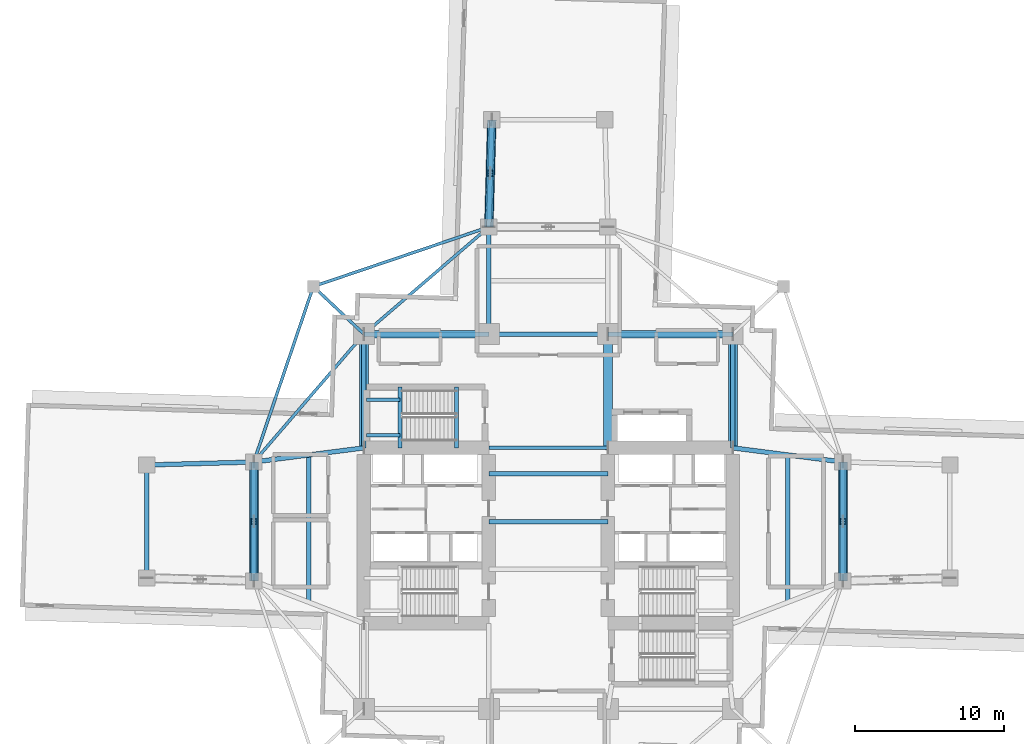
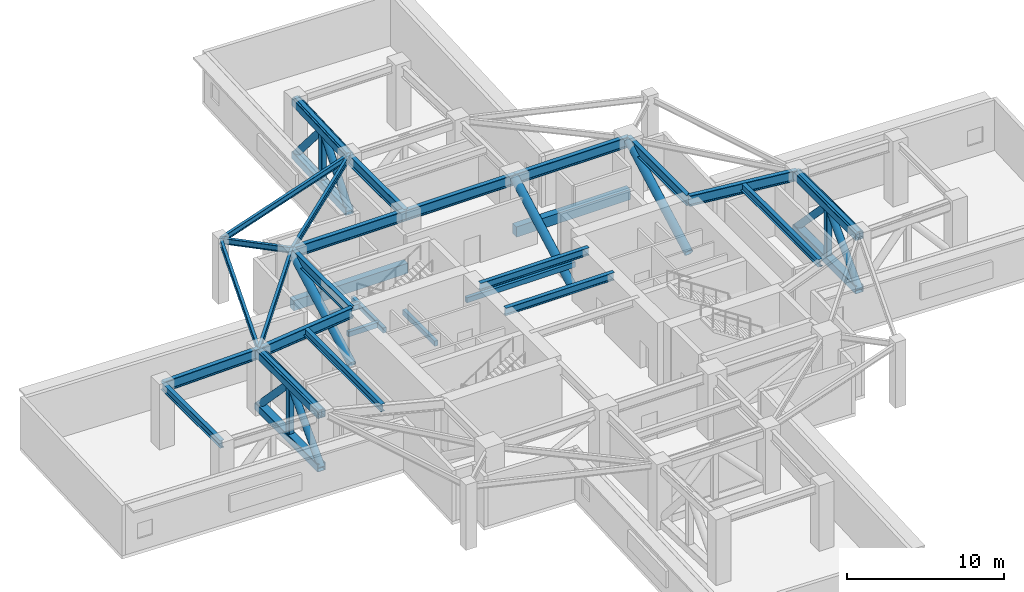
# One storey, part 3 of 17: 29 beams, 18 members.
"""IFC4 building model written with IfcOpenShell, lengths in metres."""

from ifc_helpers import new_model, si_unit, direction, frame, origin, origin_2d, place, context, subcontext, project, spatial, rectangle, hollow_rectangle, hollow_circle, i_section, extrude, material, material_profile, profile_set, type_object, element, save


model = new_model("IFC4")

# Units and contexts
model_context = context("Model", 3, precision=1e-05, world=origin(), true_north=direction((0.0, 1.0)))
body_context = subcontext(model_context, "Body", "Model", "MODEL_VIEW")
ifc_project = project(units=[si_unit("LENGTHUNIT", "METRE"), si_unit("AREAUNIT", "SQUARE_METRE"), si_unit("VOLUMEUNIT", "CUBIC_METRE"), si_unit("PLANEANGLEUNIT", "RADIAN"), si_unit("MASSUNIT", "GRAM", prefix="KILO")], contexts=[model_context])

# Site, building, storey
site_placement = place(None, origin())
site = spatial("IfcSite", under=ifc_project, at=site_placement, CompositionType="ELEMENT")
building_placement = place(site_placement, origin())
building = spatial("IfcBuilding", under=site, at=building_placement, Name="Qingluan Cross Belvedere", CompositionType="ELEMENT")
storey_placement = place(building_placement, frame((0.0, 0.0, 95.10009765625)))
storey = spatial("IfcBuildingStorey", under=building, at=storey_placement, Name="L24", CompositionType="ELEMENT", Elevation=95.10009765625)

# Beams
ifc_material_1 = material(Name="Concrete C45", Category="concrete")
ifc_material_profile_1 = material_profile(ifc_material_1, rectangle(XDim=0.25, YDim=0.39990234375, at=origin_2d()), Name="RC250x400")
ifc_profile_set_1 = profile_set([ifc_material_profile_1], Name="Concrete C45")
beam_type_1 = type_object("IfcBeamType", Name="RC_Lintel_RC250x400", PredefinedType="LINTEL", material=ifc_profile_set_1)
for number, where, z_axis, x_axis, name in (
    (1, (-6.179931640625, 4.949951171875, -0.2001953125), (0.0, 1.0, 0.0), (-1.0, 0.0, 0.0), "Stair ST3 landing beam L24"),
    (2, (-9.969970703125, 4.949951171875, 2.14990234375), (0.0, 1.0, 0.0), (-1.0, 0.0, 0.0), "Stair ST3 beam A L24"),
):
    element("IfcBeam", number, at=place(storey_placement, frame(where, z_axis=z_axis, x_axis=x_axis)), inside=storey, type_object=beam_type_1, Name=name, PredefinedType="LINTEL", context=body_context, shape_type="SweptSolid", body=[
        extrude(rectangle(XDim=0.25, YDim=0.39990234375, at=origin_2d()), origin(), (0.0, 0.0, 1.0), 4.090087890625),
    ])
for number, where, z_axis, x_axis, name in (
    (3, (-12.219970703125, 5.800048828125, 2.14990234375), (1.0, 0.0, 0.0), (0.0, 1.0, 0.0), "Stair ST3 beam B L24"),
    (4, (-12.219970703125, 8.18994140625, 2.14990234375), (1.0, 0.0, 0.0), (0.0, 1.0, 0.0), "Stair ST3 beam C L24"),
):
    element("IfcBeam", number, at=place(storey_placement, frame(where, z_axis=z_axis, x_axis=x_axis)), inside=storey, type_object=beam_type_1, Name=name, PredefinedType="LINTEL", context=body_context, shape_type="SweptSolid", body=[
        extrude(rectangle(XDim=0.25, YDim=0.39990234375, at=origin_2d()), origin(), (0.0, 0.0, 1.0), 2.25),
    ])
beam_1_placement = place(storey_placement, frame((-4.0, 4.949951171875, 2.449951171875), z_axis=(1.0, 0.0, 0.0), x_axis=(0.0, 1.0, 0.0)))
element("IfcBeam", 5, at=beam_1_placement, inside=storey, type_object=beam_type_1, Name="Core coupling lintel beam L24", PredefinedType="LINTEL", context=body_context, shape_type="SweptSolid", body=[
    extrude(rectangle(XDim=0.25, YDim=0.39990234375, at=origin_2d()), origin(), (0.0, 0.0, 1.0), 8.0),
])
ifc_material_2 = material(Name="Concrete C45", Category="concrete")
ifc_material_profile_2 = material_profile(ifc_material_2, rectangle(XDim=0.5, YDim=0.800048828125, at=origin_2d()), Name="RC500x800")
ifc_profile_set_2 = profile_set([ifc_material_profile_2], Name="Concrete C45")
beam_type_2 = type_object("IfcBeamType", Name="RC_Spandrel_RC500x800", PredefinedType="SPANDREL", material=ifc_profile_set_2)
for number, where, z_axis, x_axis, name in (
    (6, (-12.39990234375, 12.60009765625, 0.39990234375), (1.0, 0.0, 0.0), (0.0, 1.0, 0.0), "Perimeter RC spandrel beam L24-NW"),
    (7, (4.0, 12.60009765625, 0.39990234375), (1.0, 0.0, 0.0), (0.0, 1.0, 0.0), "Perimeter RC spandrel beam L24-NE"),
):
    element("IfcBeam", number, at=place(storey_placement, frame(where, z_axis=z_axis, x_axis=x_axis)), inside=storey, type_object=beam_type_2, Name=name, PredefinedType="SPANDREL", context=body_context, shape_type="SweptSolid", body=[
        extrude(rectangle(XDim=0.5, YDim=0.800048828125, at=origin_2d()), origin(), (0.0, 0.0, 1.0), 8.39990234375),
    ])

# Members
ifc_material_3 = material(Name="Steel Q420GJB", Category="steel")
ifc_material_profile_3 = material_profile(ifc_material_3, hollow_circle(Radius=0.25390625, WallThickness=0.02197265625, at=origin_2d()), Name="CHS508x22")
ifc_profile_set_3 = profile_set([ifc_material_profile_3], Name="Steel Q420GJB")
member_type_1 = type_object("IfcMemberType", Name="SteelMember_BRACE_CHS508x22", PredefinedType="BRACE", material=ifc_profile_set_3)
for number, where, z_axis, x_axis, name in (
    (8, (19.800048828125, -4.0, 0.349853515625), (0.0, 0.6939623188, 0.720011319415), (-1.0, 0.0, 0.0), "Belt truss diagonal A L24-E"),
    (9, (19.800048828125, 4.0, 0.349853515625), (0.0, -0.6939623188, 0.720011319415), (1.0, 0.0, 0.0), "Belt truss diagonal B L24-E"),
    (10, (-19.800048828125, -4.0, 0.349853515625), (0.0, 0.6939623188, 0.720011319415), (-1.0, 0.0, 0.0), "Belt truss diagonal A L24-W"),
    (11, (-19.800048828125, 4.0, 0.349853515625), (0.0, -0.6939623188, 0.720011319415), (1.0, 0.0, 0.0), "Belt truss diagonal B L24-W"),
):
    element("IfcMember", number, at=place(storey_placement, frame(where, z_axis=z_axis, x_axis=x_axis)), inside=storey, type_object=member_type_1, Name=name, PredefinedType="BRACE", context=body_context, shape_type="SweptSolid", body=[
        extrude(hollow_circle(Radius=0.25390625, WallThickness=0.02197265625, at=origin_2d()), origin(), (0.0, 0.0, 1.0), 5.763916015625),
    ])
for number, where, z_axis, x_axis, name in (
    (12, (-4.0, 19.800048828125, 0.349853515625), (0.018216841159, 0.655139811939, 0.755288006995), (-0.999613636213, 0.027795292699, 0.0), "Belt truss diagonal A L24-NN"),
    (13, (-3.800048828125, 27.0, 0.349853515625), (-0.018171895558, -0.655165701478, 0.755266632268), (0.999615569646, -0.027725672588, 0.0), "Belt truss diagonal B L24-NN"),
):
    element("IfcMember", number, at=place(storey_placement, frame(where, z_axis=z_axis, x_axis=x_axis)), inside=storey, type_object=member_type_1, Name=name, PredefinedType="BRACE", context=body_context, shape_type="SweptSolid", body=[
        extrude(hollow_circle(Radius=0.25390625, WallThickness=0.02197265625, at=origin_2d()), origin(), (0.0, 0.0, 1.0), 5.494873046875),
    ])
ifc_material_4 = material(Name="Steel Q420GJB", Category="steel")
ifc_material_profile_4 = material_profile(ifc_material_4, hollow_circle(Radius=0.304931640625, WallThickness=0.028076171875, at=origin_2d()), Name="CHS610x28")
ifc_profile_set_4 = profile_set([ifc_material_profile_4], Name="Steel Q420GJB")
member_type_2 = type_object("IfcMemberType", Name="SteelMember_BRACE_CHS610x28", PredefinedType="BRACE", material=ifc_profile_set_4)
for number, where, z_axis, x_axis, name in (
    (14, (-12.39990234375, 4.949951171875, 0.349853515625), (0.0, 0.878987816682, 0.476844228364), (-1.0, 0.0, 0.0), "Outrigger truss diagonal L24-OWN"),
    (15, (12.39990234375, 4.949951171875, 0.349853515625), (0.0, 0.878987816682, 0.476844228364), (-1.0, 0.0, 0.0), "Outrigger truss diagonal L24-OEN"),
    (16, (4.0, 4.949951171875, 0.349853515625), (0.0, 0.878987816682, 0.476844228364), (-1.0, 0.0, 0.0), "Outrigger truss diagonal L24-OCE"),
):
    element("IfcMember", number, at=place(storey_placement, frame(where, z_axis=z_axis, x_axis=x_axis)), inside=storey, type_object=member_type_2, Name=name, PredefinedType="BRACE", context=body_context, shape_type="SweptSolid", body=[
        extrude(hollow_circle(Radius=0.304931640625, WallThickness=0.028076171875, at=origin_2d()), origin(), (0.0, 0.0, 1.0), 8.703369140625),
    ])
ifc_material_5 = material(Name="Steel Q420GJB", Category="steel")
ifc_material_profile_5 = material_profile(ifc_material_5, hollow_rectangle(XDim=0.60009765625, YDim=0.60009765625, WallThickness=0.028076171875, InnerFilletRadius=0.028076171875, OuterFilletRadius=0.055908203125, at=origin_2d()), Name="RHS600x600x28")
ifc_profile_set_5 = profile_set([ifc_material_profile_5], Name="Steel Q420GJB")
member_type_3 = type_object("IfcMemberType", Name="SteelMember_CHORD_RHS600x600x28", PredefinedType="CHORD", material=ifc_profile_set_5)
for number, where, z_axis, x_axis, name in (
    (17, (19.800048828125, -4.0, 0.349853515625), (0.0, 1.0, 0.0), (-1.0, 0.0, 0.0), "Belt truss bottom chord L24-E"),
    (18, (19.800048828125, -4.0, 4.5), (0.0, 1.0, 0.0), (-1.0, 0.0, 0.0), "Belt truss top chord L24-E"),
    (19, (-19.800048828125, -4.0, 0.349853515625), (0.0, 1.0, 0.0), (-1.0, 0.0, 0.0), "Belt truss bottom chord L24-W"),
    (20, (-19.800048828125, -4.0, 4.5), (0.0, 1.0, 0.0), (-1.0, 0.0, 0.0), "Belt truss top chord L24-W"),
):
    element("IfcMember", number, at=place(storey_placement, frame(where, z_axis=z_axis, x_axis=x_axis)), inside=storey, type_object=member_type_3, Name=name, PredefinedType="CHORD", context=body_context, shape_type="SweptSolid", body=[
        extrude(hollow_rectangle(XDim=0.60009765625, YDim=0.60009765625, WallThickness=0.028076171875, InnerFilletRadius=0.028076171875, OuterFilletRadius=0.055908203125, at=origin_2d()), origin(), (0.0, 0.0, 1.0), 8.0),
    ])
for number, where, z_axis, x_axis, name in (
    (21, (-4.0, 19.800048828125, 0.349853515625), (0.027760481514, 0.999614603568, 0.0), (-0.999614603568, 0.027760481514, 0.0), "Belt truss bottom chord L24-NN"),
    (22, (-4.0, 19.800048828125, 4.5), (0.027760481514, 0.999614603568, 0.0), (-0.999614603568, 0.027760481514, 0.0), "Belt truss top chord L24-NN"),
):
    element("IfcMember", number, at=place(storey_placement, frame(where, z_axis=z_axis, x_axis=x_axis)), inside=storey, type_object=member_type_3, Name=name, PredefinedType="CHORD", context=body_context, shape_type="SweptSolid", body=[
        extrude(hollow_rectangle(XDim=0.60009765625, YDim=0.60009765625, WallThickness=0.028076171875, InnerFilletRadius=0.028076171875, OuterFilletRadius=0.055908203125, at=origin_2d()), origin(), (0.0, 0.0, 1.0), 7.20263671875),
    ])
ifc_material_6 = material(Name="Steel Q420GJB", Category="steel")
ifc_material_profile_6 = material_profile(ifc_material_6, hollow_rectangle(XDim=0.39990234375, YDim=0.39990234375, WallThickness=0.02001953125, InnerFilletRadius=0.02001953125, OuterFilletRadius=0.0400390625, at=origin_2d()), Name="RHS400x400x20")
ifc_profile_set_6 = profile_set([ifc_material_profile_6], Name="Steel Q420GJB")
member_type_4 = type_object("IfcMemberType", Name="SteelMember_POST_RHS400x400x20", PredefinedType="POST", material=ifc_profile_set_6)
for number, where, z_axis, x_axis, name in (
    (23, (19.800048828125, 0.0, 0.349853515625), (0.0, 0.0, 1.0), (1.0, 0.0, 0.0), "Belt truss mid-post L24-E"),
    (24, (-19.800048828125, 0.0, 0.349853515625), (0.0, 0.0, 1.0), (1.0, 0.0, 0.0), "Belt truss mid-post L24-W"),
    (25, (-3.89990234375, 23.39990234375, 0.349853515625), (0.0, 0.0, 1.0), (1.0, 0.0, 0.0), "Belt truss mid-post L24-NN"),
):
    element("IfcMember", number, at=place(storey_placement, frame(where, z_axis=z_axis, x_axis=x_axis)), inside=storey, type_object=member_type_4, Name=name, PredefinedType="POST", context=body_context, shape_type="SweptSolid", body=[
        extrude(hollow_rectangle(XDim=0.39990234375, YDim=0.39990234375, WallThickness=0.02001953125, InnerFilletRadius=0.02001953125, OuterFilletRadius=0.0400390625, at=origin_2d()), origin(), (0.0, 0.0, 1.0), 4.150146484375),
    ])

# Beams
ifc_material_7 = material(Name="Steel Q420GJB", Category="steel")
ifc_material_profile_7 = material_profile(ifc_material_7, i_section(OverallWidth=0.300048828125, OverallDepth=0.587890625, WebThickness=0.011962890625, FlangeThickness=0.02001953125, FilletRadius=0.02392578125, at=origin_2d()), Name="HM588x300x12x20")
ifc_profile_set_7 = profile_set([ifc_material_profile_7], Name="Steel Q420GJB")
beam_type_3 = type_object("IfcBeamType", Name="Steel_Beam_HM588x300x12x20", PredefinedType="BEAM", material=ifc_profile_set_7)
for number, where, z_axis, x_axis, name in (
    (26, (-4.0, 0.0, 4.555908203125), (1.0, 0.0, 0.0), (0.0, 1.0, 0.0), "Hall beam L24-CH2"),
    (27, (-4.0, 3.199951171875, 4.555908203125), (1.0, 0.0, 0.0), (0.0, 1.0, 0.0), "Hall beam L24-CH3"),
    (28, (19.800048828125, -4.0, 4.555908203125), (0.0, 1.0, 0.0), (-1.0, 0.0, 0.0), "Arm E tie L24"),
):
    element("IfcBeam", number, at=place(storey_placement, frame(where, z_axis=z_axis, x_axis=x_axis)), inside=storey, type_object=beam_type_3, Name=name, PredefinedType="BEAM", context=body_context, shape_type="SweptSolid", body=[
        extrude(i_section(OverallWidth=0.300048828125, OverallDepth=0.587890625, WebThickness=0.011962890625, FlangeThickness=0.02001953125, FilletRadius=0.02392578125, at=origin_2d()), origin(), (0.0, 0.0, 1.0), 8.0),
    ])
beam_2_placement = place(storey_placement, frame((16.10009765625, -5.425048828125, 4.555908203125), z_axis=(0.0, 1.0, 0.0), x_axis=(-1.0, 0.0, 0.0)))
element("IfcBeam", 29, at=beam_2_placement, inside=storey, type_object=beam_type_3, Name="Arm E beam L24", PredefinedType="BEAM", context=body_context, shape_type="SweptSolid", body=[
    extrude(i_section(OverallWidth=0.300048828125, OverallDepth=0.587890625, WebThickness=0.011962890625, FlangeThickness=0.02001953125, FilletRadius=0.02392578125, at=origin_2d()), origin(), (0.0, 0.0, 1.0), 9.900146484375),
])
beam_3_placement = place(storey_placement, frame((-19.800048828125, -4.0, 4.555908203125), z_axis=(0.0, 1.0, 0.0), x_axis=(-1.0, 0.0, 0.0)))
element("IfcBeam", 30, at=beam_3_placement, inside=storey, type_object=beam_type_3, Name="Arm W tie L24", PredefinedType="BEAM", context=body_context, shape_type="SweptSolid", body=[
    extrude(i_section(OverallWidth=0.300048828125, OverallDepth=0.587890625, WebThickness=0.011962890625, FlangeThickness=0.02001953125, FilletRadius=0.02392578125, at=origin_2d()), origin(), (0.0, 0.0, 1.0), 8.0),
])
beam_4_placement = place(storey_placement, frame((-16.10009765625, -5.425048828125, 4.555908203125), z_axis=(0.0, 1.0, 0.0), x_axis=(-1.0, 0.0, 0.0)))
element("IfcBeam", 31, at=beam_4_placement, inside=storey, type_object=beam_type_3, Name="Arm W beam L24", PredefinedType="BEAM", context=body_context, shape_type="SweptSolid", body=[
    extrude(i_section(OverallWidth=0.300048828125, OverallDepth=0.587890625, WebThickness=0.011962890625, FlangeThickness=0.02001953125, FilletRadius=0.02392578125, at=origin_2d()), origin(), (0.0, 0.0, 1.0), 9.900146484375),
])
beam_5_placement = place(storey_placement, frame((-27.0, -3.800048828125, 4.555908203125), z_axis=(0.0, 1.0, 0.0), x_axis=(-1.0, 0.0, 0.0)))
element("IfcBeam", 32, at=beam_5_placement, inside=storey, type_object=beam_type_3, Name="Arm W tip transverse beam L24", PredefinedType="BEAM", context=body_context, shape_type="SweptSolid", body=[
    extrude(i_section(OverallWidth=0.300048828125, OverallDepth=0.587890625, WebThickness=0.011962890625, FlangeThickness=0.02001953125, FilletRadius=0.02392578125, at=origin_2d()), origin(), (0.0, 0.0, 1.0), 7.60009765625),
])
ifc_material_8 = material(Name="Steel Q420GJB", Category="steel")
ifc_material_profile_8 = material_profile(ifc_material_8, i_section(OverallWidth=0.199951171875, OverallDepth=0.449951171875, WebThickness=0.009033203125, FlangeThickness=0.013916015625, FilletRadius=0.01611328125, at=origin_2d()), Name="HN450x200x9x14")
ifc_profile_set_8 = profile_set([ifc_material_profile_8], Name="Steel Q420GJB")
beam_type_4 = type_object("IfcBeamType", Name="Steel_Beam_HN450x200x9x14", PredefinedType="JOIST", material=ifc_profile_set_8)
beam_6_placement = place(storey_placement, frame((-12.39990234375, 12.60009765625, 4.625), z_axis=(-0.728219948308, 0.685343495546, 0.0), x_axis=(-0.685343495546, -0.728219948308, 0.0)))
element("IfcBeam", 33, at=beam_6_placement, inside=storey, type_object=beam_type_4, Name="Corner beam 1 L24-RNW", PredefinedType="JOIST", context=body_context, shape_type="SweptSolid", body=[
    extrude(i_section(OverallWidth=0.199951171875, OverallDepth=0.449951171875, WebThickness=0.009033203125, FlangeThickness=0.013916015625, FilletRadius=0.01611328125, at=origin_2d()), origin(), (0.0, 0.0, 1.0), 4.669189453125),
])
for number, where, z_axis, x_axis, name in (
    (34, (-15.800048828125, 15.800048828125, 4.625), (0.947066283324, 0.321038089628, 0.0), (-0.321038089628, 0.947066283324, 0.0), "Corner beam 2 L24-RNW"),
    (35, (-15.800048828125, 15.800048828125, 4.625), (-0.321038089628, -0.947066283324, 0.0), (0.947066283324, -0.321038089628, 0.0), "Corner beam 3 L24-RNW"),
):
    element("IfcBeam", number, at=place(storey_placement, frame(where, z_axis=z_axis, x_axis=x_axis)), inside=storey, type_object=beam_type_4, Name=name, PredefinedType="JOIST", context=body_context, shape_type="SweptSolid", body=[
        extrude(i_section(OverallWidth=0.199951171875, OverallDepth=0.449951171875, WebThickness=0.009033203125, FlangeThickness=0.013916015625, FilletRadius=0.01611328125, at=origin_2d()), origin(), (0.0, 0.0, 1.0), 12.45947265625),
    ])
beam_7_placement = place(storey_placement, frame((-12.39990234375, 12.60009765625, 4.625), z_axis=(-0.652245077546, -0.75800815221, 0.0), x_axis=(0.75800815221, -0.652245077546, 0.0)))
element("IfcBeam", 36, at=beam_7_placement, inside=storey, type_object=beam_type_4, Name="Corner beam 4 L24-RNW", PredefinedType="JOIST", context=body_context, shape_type="SweptSolid", body=[
    extrude(i_section(OverallWidth=0.199951171875, OverallDepth=0.449951171875, WebThickness=0.009033203125, FlangeThickness=0.013916015625, FilletRadius=0.01611328125, at=origin_2d()), origin(), (0.0, 0.0, 1.0), 11.345703125),
])
beam_8_placement = place(storey_placement, frame((-12.39990234375, 12.60009765625, 4.625), z_axis=(0.759255044656, 0.650793190779, 0.0), x_axis=(-0.650793190779, 0.759255044656, 0.0)))
element("IfcBeam", 37, at=beam_8_placement, inside=storey, type_object=beam_type_4, Name="Corner beam 5 L24-RNW", PredefinedType="JOIST", context=body_context, shape_type="SweptSolid", body=[
    extrude(i_section(OverallWidth=0.199951171875, OverallDepth=0.449951171875, WebThickness=0.009033203125, FlangeThickness=0.013916015625, FilletRadius=0.01611328125, at=origin_2d()), origin(), (0.0, 0.0, 1.0), 11.063232421875),
])
ifc_material_9 = material(Name="Steel Q420GJB", Category="steel")
ifc_material_profile_9 = material_profile(ifc_material_9, i_section(OverallWidth=0.305908203125, OverallDepth=0.81396484375, WebThickness=0.02099609375, FlangeThickness=0.0400390625, FilletRadius=0.030029296875, at=origin_2d()), Name="HEM800")
ifc_profile_set_9 = profile_set([ifc_material_profile_9], Name="Steel Q420GJB")
beam_type_5 = type_object("IfcBeamType", Name="Steel_Girder_HEM800", PredefinedType="USERDEFINED", material=ifc_profile_set_9)
beam_9_placement = place(storey_placement, frame((-12.39990234375, 12.60009765625, 4.44287109375), z_axis=(1.0, 0.0, 0.0), x_axis=(0.0, 1.0, 0.0)))
element("IfcBeam", 38, at=beam_9_placement, inside=storey, type_object=beam_type_5, Name="Hub girder L24-HG-N1", ObjectType="GIRDER", PredefinedType="USERDEFINED", context=body_context, shape_type="SweptSolid", body=[
    extrude(i_section(OverallWidth=0.305908203125, OverallDepth=0.81396484375, WebThickness=0.02099609375, FlangeThickness=0.0400390625, FilletRadius=0.030029296875, at=origin_2d()), origin(), (0.0, 0.0, 1.0), 8.39990234375),
])
beam_10_placement = place(storey_placement, frame((-4.0, 12.60009765625, 4.44287109375), z_axis=(1.0, 0.0, 0.0), x_axis=(0.0, 1.0, 0.0)))
element("IfcBeam", 39, at=beam_10_placement, inside=storey, type_object=beam_type_5, Name="Hub girder L24-HG-N2", ObjectType="GIRDER", PredefinedType="USERDEFINED", context=body_context, shape_type="SweptSolid", body=[
    extrude(i_section(OverallWidth=0.305908203125, OverallDepth=0.81396484375, WebThickness=0.02099609375, FlangeThickness=0.0400390625, FilletRadius=0.030029296875, at=origin_2d()), origin(), (0.0, 0.0, 1.0), 8.0),
])
beam_11_placement = place(storey_placement, frame((4.0, 12.60009765625, 4.44287109375), z_axis=(1.0, 0.0, 0.0), x_axis=(0.0, 1.0, 0.0)))
element("IfcBeam", 40, at=beam_11_placement, inside=storey, type_object=beam_type_5, Name="Hub girder L24-HG-N3", ObjectType="GIRDER", PredefinedType="USERDEFINED", context=body_context, shape_type="SweptSolid", body=[
    extrude(i_section(OverallWidth=0.305908203125, OverallDepth=0.81396484375, WebThickness=0.02099609375, FlangeThickness=0.0400390625, FilletRadius=0.030029296875, at=origin_2d()), origin(), (0.0, 0.0, 1.0), 8.39990234375),
])
for number, where, z_axis, x_axis, name in (
    (41, (-12.39990234375, 4.949951171875, 4.44287109375), (0.0, 1.0, 0.0), (-1.0, 0.0, 0.0), "Hub girder L24-HG-W2"),
    (42, (12.39990234375, 4.949951171875, 4.44287109375), (0.0, 1.0, 0.0), (-1.0, 0.0, 0.0), "Hub girder L24-HG-E2"),
):
    element("IfcBeam", number, at=place(storey_placement, frame(where, z_axis=z_axis, x_axis=x_axis)), inside=storey, type_object=beam_type_5, Name=name, ObjectType="GIRDER", PredefinedType="USERDEFINED", context=body_context, shape_type="SweptSolid", body=[
        extrude(i_section(OverallWidth=0.305908203125, OverallDepth=0.81396484375, WebThickness=0.02099609375, FlangeThickness=0.0400390625, FilletRadius=0.030029296875, at=origin_2d()), origin(), (0.0, 0.0, 1.0), 7.650146484375),
    ])
for number, where, z_axis, x_axis, name in (
    (43, (12.39990234375, 4.949951171875, 4.44287109375), (0.991861120628, -0.12732445714, 0.0), (0.12732445714, 0.991861120628, 0.0), "Arm E radial girder B L24"),
    (44, (-12.39990234375, 4.949951171875, 4.44287109375), (-0.991861120628, -0.12732445714, 0.0), (0.12732445714, -0.991861120628, 0.0), "Arm W radial girder B L24"),
):
    element("IfcBeam", number, at=place(storey_placement, frame(where, z_axis=z_axis, x_axis=x_axis)), inside=storey, type_object=beam_type_5, Name=name, ObjectType="GIRDER", PredefinedType="USERDEFINED", context=body_context, shape_type="SweptSolid", body=[
        extrude(i_section(OverallWidth=0.305908203125, OverallDepth=0.81396484375, WebThickness=0.02099609375, FlangeThickness=0.0400390625, FilletRadius=0.030029296875, at=origin_2d()), origin(), (0.0, 0.0, 1.0), 7.4609375),
    ])
beam_12_placement = place(storey_placement, frame((-19.800048828125, 4.0, 4.44287109375), z_axis=(-0.999614603568, -0.027760481514, 0.0), x_axis=(0.027760481514, -0.999614603568, 0.0)))
element("IfcBeam", 45, at=beam_12_placement, inside=storey, type_object=beam_type_5, Name="Arm W outer radial girder B L24", ObjectType="GIRDER", PredefinedType="USERDEFINED", context=body_context, shape_type="SweptSolid", body=[
    extrude(i_section(OverallWidth=0.305908203125, OverallDepth=0.81396484375, WebThickness=0.02099609375, FlangeThickness=0.0400390625, FilletRadius=0.030029296875, at=origin_2d()), origin(), (0.0, 0.0, 1.0), 7.20263671875),
])
beam_13_placement = place(storey_placement, frame((-4.0, 12.60009765625, 4.44287109375), z_axis=(0.0, 1.0, 0.0), x_axis=(-1.0, 0.0, 0.0)))
element("IfcBeam", 46, at=beam_13_placement, inside=storey, type_object=beam_type_5, Name="Arm N radial girder A L24", ObjectType="GIRDER", PredefinedType="USERDEFINED", context=body_context, shape_type="SweptSolid", body=[
    extrude(i_section(OverallWidth=0.305908203125, OverallDepth=0.81396484375, WebThickness=0.02099609375, FlangeThickness=0.0400390625, FilletRadius=0.030029296875, at=origin_2d()), origin(), (0.0, 0.0, 1.0), 7.199951171875),
])
beam_14_placement = place(storey_placement, frame((-4.0, 19.800048828125, 4.44287109375), z_axis=(0.027760481514, 0.999614603568, 0.0), x_axis=(-0.999614603568, 0.027760481514, 0.0)))
element("IfcBeam", 47, at=beam_14_placement, inside=storey, type_object=beam_type_5, Name="Arm N outer radial girder A L24", ObjectType="GIRDER", PredefinedType="USERDEFINED", context=body_context, shape_type="SweptSolid", body=[
    extrude(i_section(OverallWidth=0.305908203125, OverallDepth=0.81396484375, WebThickness=0.02099609375, FlangeThickness=0.0400390625, FilletRadius=0.030029296875, at=origin_2d()), origin(), (0.0, 0.0, 1.0), 7.20263671875),
])

save(model, "model.ifc")
